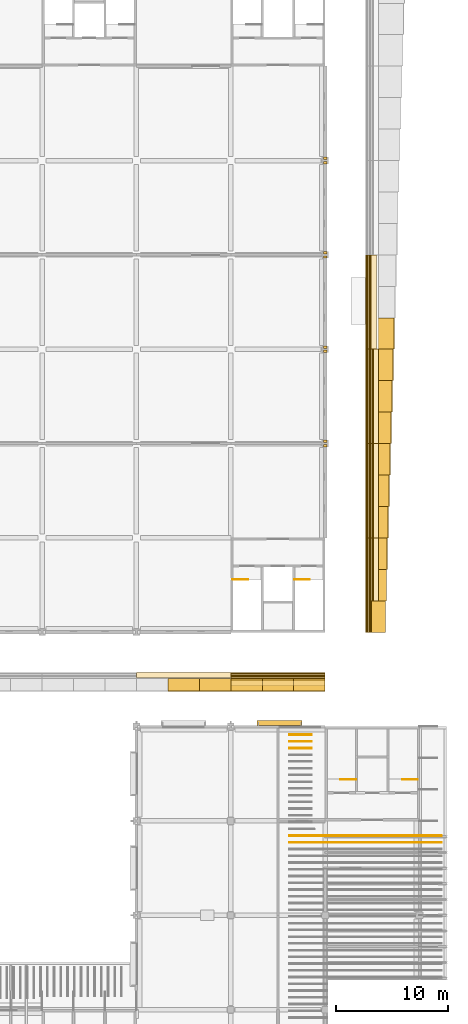
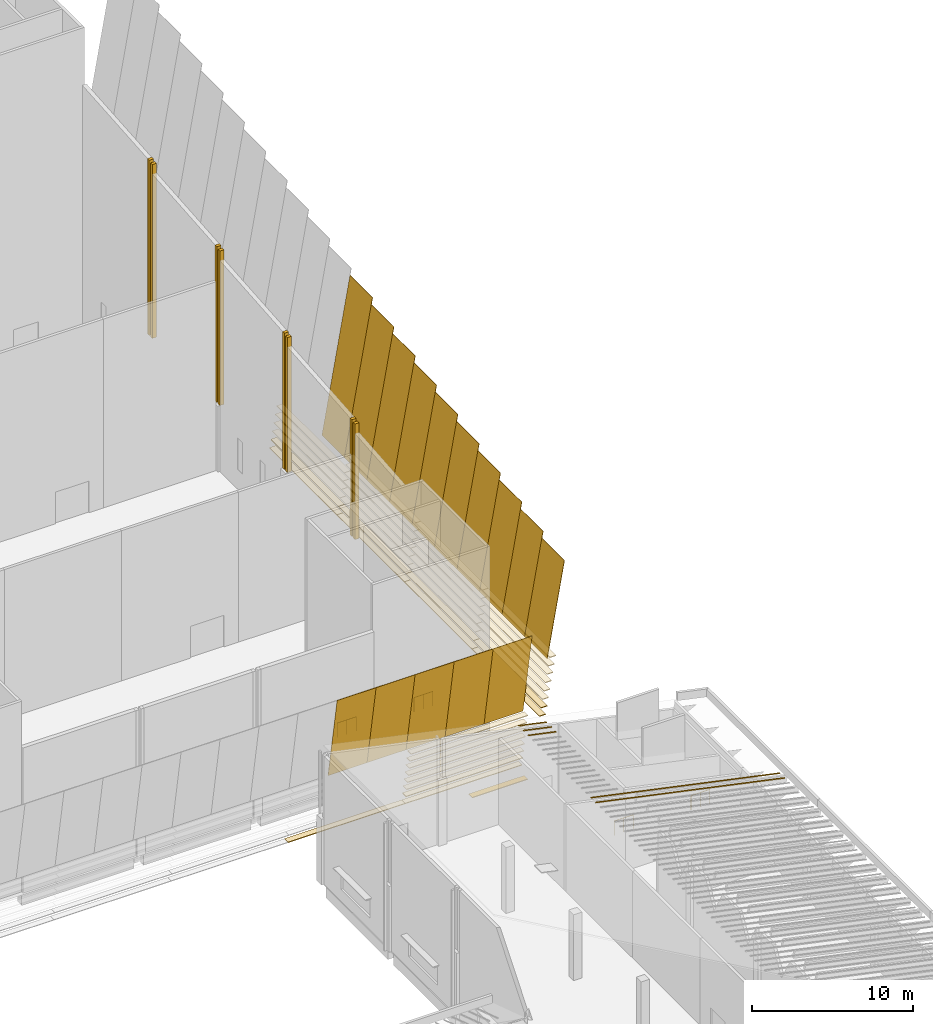
# One storey, part 58 of 59: 67 coverings, 4 railings, 1 shading device.
"""IFC4 building model written with IfcOpenShell, lengths in metres."""

from ifc_helpers import new_model, si_unit, direction, frame, origin, origin_2d, place, context, subcontext, project, spatial, polyline, rectangle, circle, outline, extrude, material, layer, layer_set, material_profile, profile_set, type_object, element, save


model = new_model("IFC4")

# Units and contexts
model_context = context("Model", 3, precision=1e-05, world=origin(), true_north=direction((0.0, 1.0)))
body_context = subcontext(model_context, "Body", "Model", "MODEL_VIEW")
ifc_project = project(units=[si_unit("LENGTHUNIT", "METRE"), si_unit("AREAUNIT", "SQUARE_METRE"), si_unit("VOLUMEUNIT", "CUBIC_METRE"), si_unit("PLANEANGLEUNIT", "RADIAN"), si_unit("MASSUNIT", "GRAM", prefix="KILO")], contexts=[model_context])

# Site, building, storey
site_placement = place(None, origin())
site = spatial("IfcSite", under=ifc_project, at=site_placement, CompositionType="ELEMENT")
building_placement = place(site_placement, origin())
building = spatial("IfcBuilding", under=site, at=building_placement, Name="Almond Square Museum", CompositionType="ELEMENT")
storey_placement = place(building_placement, frame((0.0, 0.0, 25.0)))
storey = spatial("IfcBuildingStorey", under=building, at=storey_placement, Name="L04", CompositionType="ELEMENT", Elevation=25.0)

# Coverings
ifc_material_1 = material(Name="Cedar timber louvre board", Category="wood")
ifc_material_profile_1 = material_profile(ifc_material_1, rectangle(XDim=0.449951171875, YDim=0.050048828125, at=origin_2d()))
ifc_profile_set_1 = profile_set([ifc_material_profile_1], Name="Cedar timber louvre board")
covering_type_1 = type_object("IfcCoveringType", Name="Louvre board 450 x 50", PredefinedType="CLADDING", material=ifc_profile_set_1)
covering_1_placement = place(storey_placement, frame((132.0, 46.602294921875, 0.300048828125), z_axis=(1.0, 0.0, 0.0), x_axis=(0.0, 1.0, 0.0)))
element("IfcCovering", 1, at=covering_1_placement, inside=storey, type_object=covering_type_1, Name="Louvre board S31.04", PredefinedType="CLADDING", context=body_context, shape_type="SweptSolid", body=[
    extrude(rectangle(XDim=0.449951171875, YDim=0.050048828125, at=origin_2d()), origin(), (0.0, 0.0, 1.0), 8.39990234375),
])
for number, where, z_axis, x_axis, name in (
    (2, (140.39990234375, 46.602294921875, 0.300048828125), (1.0, 0.0, 0.0), (0.0, 1.0, 0.0), "Louvre board S31.05"),
    (3, (140.39990234375, 46.49658203125, 0.89990234375), (1.0, 0.0, 0.0), (0.0, 1.0, 0.0), "Louvre board S32.05"),
    (4, (140.39990234375, 46.390625, 1.5), (1.0, 0.0, 0.0), (0.0, 1.0, 0.0), "Louvre board S33.05"),
    (5, (140.39990234375, 46.284912109375, 2.10009765625), (1.0, 0.0, 0.0), (0.0, 1.0, 0.0), "Louvre board S34.05"),
    (6, (140.39990234375, 46.17919921875, 2.699951171875), (1.0, 0.0, 0.0), (0.0, 1.0, 0.0), "Louvre board S35.05"),
    (7, (140.39990234375, 46.0732421875, 3.300048828125), (1.0, 0.0, 0.0), (0.0, 1.0, 0.0), "Louvre board S36.05"),
    (8, (140.39990234375, 45.967529296875, 3.89990234375), (1.0, 0.0, 0.0), (0.0, 1.0, 0.0), "Louvre board S37.05"),
    (9, (140.39990234375, 45.86181640625, 4.5), (1.0, 0.0, 0.0), (0.0, 1.0, 0.0), "Louvre board S38.05"),
    (10, (152.59765625, 50.39990234375, 0.300048828125), (0.0, 1.0, 0.0), (-1.0, 0.0, 0.0), "Louvre board E05.01"),
):
    element("IfcCovering", number, at=place(storey_placement, frame(where, z_axis=z_axis, x_axis=x_axis)), inside=storey, type_object=covering_type_1, Name=name, PredefinedType="CLADDING", context=body_context, shape_type="SweptSolid", body=[
        extrude(rectangle(XDim=0.449951171875, YDim=0.050048828125, at=origin_2d()), origin(), (0.0, 0.0, 1.0), 8.400146484375),
    ])
covering_2_placement = place(storey_placement, frame((152.59765625, 58.800048828125, 0.300048828125), z_axis=(0.0, 1.0, 0.0), x_axis=(-1.0, 0.0, 0.0)))
element("IfcCovering", 11, at=covering_2_placement, inside=storey, type_object=covering_type_1, Name="Louvre board E05.02", PredefinedType="CLADDING", context=body_context, shape_type="SweptSolid", body=[
    extrude(rectangle(XDim=0.449951171875, YDim=0.050048828125, at=origin_2d()), origin(), (0.0, 0.0, 1.0), 8.39990234375),
])
covering_3_placement = place(storey_placement, frame((152.59765625, 67.199951171875, 0.300048828125), z_axis=(0.0, 1.0, 0.0), x_axis=(-1.0, 0.0, 0.0)))
element("IfcCovering", 12, at=covering_3_placement, inside=storey, type_object=covering_type_1, Name="Louvre board E05.03", PredefinedType="CLADDING", context=body_context, shape_type="SweptSolid", body=[
    extrude(rectangle(XDim=0.449951171875, YDim=0.050048828125, at=origin_2d()), origin(), (0.0, 0.0, 1.0), 8.400146484375),
])
covering_4_placement = place(storey_placement, frame((152.59765625, 75.60009765625, 0.300048828125), z_axis=(0.0, 1.0, 0.0), x_axis=(-1.0, 0.0, 0.0)))
element("IfcCovering", 13, at=covering_4_placement, inside=storey, type_object=covering_type_1, Name="Louvre board E05.04", PredefinedType="CLADDING", context=body_context, shape_type="SweptSolid", body=[
    extrude(rectangle(XDim=0.449951171875, YDim=0.050048828125, at=origin_2d()), origin(), (0.0, 0.0, 1.0), 8.39990234375),
])
covering_5_placement = place(storey_placement, frame((152.70361328125, 50.39990234375, 0.89990234375), z_axis=(0.0, 1.0, 0.0), x_axis=(-1.0, 0.0, 0.0)))
element("IfcCovering", 14, at=covering_5_placement, inside=storey, type_object=covering_type_1, Name="Louvre board E06.01", PredefinedType="CLADDING", context=body_context, shape_type="SweptSolid", body=[
    extrude(rectangle(XDim=0.449951171875, YDim=0.050048828125, at=origin_2d()), origin(), (0.0, 0.0, 1.0), 8.400146484375),
])
covering_6_placement = place(storey_placement, frame((152.70361328125, 58.800048828125, 0.89990234375), z_axis=(0.0, 1.0, 0.0), x_axis=(-1.0, 0.0, 0.0)))
element("IfcCovering", 15, at=covering_6_placement, inside=storey, type_object=covering_type_1, Name="Louvre board E06.02", PredefinedType="CLADDING", context=body_context, shape_type="SweptSolid", body=[
    extrude(rectangle(XDim=0.449951171875, YDim=0.050048828125, at=origin_2d()), origin(), (0.0, 0.0, 1.0), 8.39990234375),
])
covering_7_placement = place(storey_placement, frame((152.70361328125, 67.199951171875, 0.89990234375), z_axis=(0.0, 1.0, 0.0), x_axis=(-1.0, 0.0, 0.0)))
element("IfcCovering", 16, at=covering_7_placement, inside=storey, type_object=covering_type_1, Name="Louvre board E06.03", PredefinedType="CLADDING", context=body_context, shape_type="SweptSolid", body=[
    extrude(rectangle(XDim=0.449951171875, YDim=0.050048828125, at=origin_2d()), origin(), (0.0, 0.0, 1.0), 8.400146484375),
])
covering_8_placement = place(storey_placement, frame((152.70361328125, 75.60009765625, 0.89990234375), z_axis=(0.0, 1.0, 0.0), x_axis=(-1.0, 0.0, 0.0)))
element("IfcCovering", 17, at=covering_8_placement, inside=storey, type_object=covering_type_1, Name="Louvre board E06.04", PredefinedType="CLADDING", context=body_context, shape_type="SweptSolid", body=[
    extrude(rectangle(XDim=0.449951171875, YDim=0.050048828125, at=origin_2d()), origin(), (0.0, 0.0, 1.0), 8.39990234375),
])
covering_9_placement = place(storey_placement, frame((152.809326171875, 50.39990234375, 1.5), z_axis=(0.0, 1.0, 0.0), x_axis=(-1.0, 0.0, 0.0)))
element("IfcCovering", 18, at=covering_9_placement, inside=storey, type_object=covering_type_1, Name="Louvre board E07.01", PredefinedType="CLADDING", context=body_context, shape_type="SweptSolid", body=[
    extrude(rectangle(XDim=0.449951171875, YDim=0.050048828125, at=origin_2d()), origin(), (0.0, 0.0, 1.0), 8.400146484375),
])
covering_10_placement = place(storey_placement, frame((152.809326171875, 58.800048828125, 1.5), z_axis=(0.0, 1.0, 0.0), x_axis=(-1.0, 0.0, 0.0)))
element("IfcCovering", 19, at=covering_10_placement, inside=storey, type_object=covering_type_1, Name="Louvre board E07.02", PredefinedType="CLADDING", context=body_context, shape_type="SweptSolid", body=[
    extrude(rectangle(XDim=0.449951171875, YDim=0.050048828125, at=origin_2d()), origin(), (0.0, 0.0, 1.0), 8.39990234375),
])
covering_11_placement = place(storey_placement, frame((152.809326171875, 67.199951171875, 1.5), z_axis=(0.0, 1.0, 0.0), x_axis=(-1.0, 0.0, 0.0)))
element("IfcCovering", 20, at=covering_11_placement, inside=storey, type_object=covering_type_1, Name="Louvre board E07.03", PredefinedType="CLADDING", context=body_context, shape_type="SweptSolid", body=[
    extrude(rectangle(XDim=0.449951171875, YDim=0.050048828125, at=origin_2d()), origin(), (0.0, 0.0, 1.0), 8.400146484375),
])
covering_12_placement = place(storey_placement, frame((152.809326171875, 75.60009765625, 1.5), z_axis=(0.0, 1.0, 0.0), x_axis=(-1.0, 0.0, 0.0)))
element("IfcCovering", 21, at=covering_12_placement, inside=storey, type_object=covering_type_1, Name="Louvre board E07.04", PredefinedType="CLADDING", context=body_context, shape_type="SweptSolid", body=[
    extrude(rectangle(XDim=0.449951171875, YDim=0.050048828125, at=origin_2d()), origin(), (0.0, 0.0, 1.0), 8.39990234375),
])
covering_13_placement = place(storey_placement, frame((152.9150390625, 50.39990234375, 2.10009765625), z_axis=(0.0, 1.0, 0.0), x_axis=(-1.0, 0.0, 0.0)))
element("IfcCovering", 22, at=covering_13_placement, inside=storey, type_object=covering_type_1, Name="Louvre board E08.01", PredefinedType="CLADDING", context=body_context, shape_type="SweptSolid", body=[
    extrude(rectangle(XDim=0.449951171875, YDim=0.050048828125, at=origin_2d()), origin(), (0.0, 0.0, 1.0), 8.400146484375),
])
covering_14_placement = place(storey_placement, frame((152.9150390625, 58.800048828125, 2.10009765625), z_axis=(0.0, 1.0, 0.0), x_axis=(-1.0, 0.0, 0.0)))
element("IfcCovering", 23, at=covering_14_placement, inside=storey, type_object=covering_type_1, Name="Louvre board E08.02", PredefinedType="CLADDING", context=body_context, shape_type="SweptSolid", body=[
    extrude(rectangle(XDim=0.449951171875, YDim=0.050048828125, at=origin_2d()), origin(), (0.0, 0.0, 1.0), 8.39990234375),
])
covering_15_placement = place(storey_placement, frame((152.9150390625, 67.199951171875, 2.10009765625), z_axis=(0.0, 1.0, 0.0), x_axis=(-1.0, 0.0, 0.0)))
element("IfcCovering", 24, at=covering_15_placement, inside=storey, type_object=covering_type_1, Name="Louvre board E08.03", PredefinedType="CLADDING", context=body_context, shape_type="SweptSolid", body=[
    extrude(rectangle(XDim=0.449951171875, YDim=0.050048828125, at=origin_2d()), origin(), (0.0, 0.0, 1.0), 8.400146484375),
])
covering_16_placement = place(storey_placement, frame((152.9150390625, 75.60009765625, 2.10009765625), z_axis=(0.0, 1.0, 0.0), x_axis=(-1.0, 0.0, 0.0)))
element("IfcCovering", 25, at=covering_16_placement, inside=storey, type_object=covering_type_1, Name="Louvre board E08.04", PredefinedType="CLADDING", context=body_context, shape_type="SweptSolid", body=[
    extrude(rectangle(XDim=0.449951171875, YDim=0.050048828125, at=origin_2d()), origin(), (0.0, 0.0, 1.0), 8.39990234375),
])
covering_17_placement = place(storey_placement, frame((153.02099609375, 50.39990234375, 2.699951171875), z_axis=(0.0, 1.0, 0.0), x_axis=(-1.0, 0.0, 0.0)))
element("IfcCovering", 26, at=covering_17_placement, inside=storey, type_object=covering_type_1, Name="Louvre board E09.01", PredefinedType="CLADDING", context=body_context, shape_type="SweptSolid", body=[
    extrude(rectangle(XDim=0.449951171875, YDim=0.050048828125, at=origin_2d()), origin(), (0.0, 0.0, 1.0), 8.400146484375),
])
covering_18_placement = place(storey_placement, frame((153.02099609375, 58.800048828125, 2.699951171875), z_axis=(0.0, 1.0, 0.0), x_axis=(-1.0, 0.0, 0.0)))
element("IfcCovering", 27, at=covering_18_placement, inside=storey, type_object=covering_type_1, Name="Louvre board E09.02", PredefinedType="CLADDING", context=body_context, shape_type="SweptSolid", body=[
    extrude(rectangle(XDim=0.449951171875, YDim=0.050048828125, at=origin_2d()), origin(), (0.0, 0.0, 1.0), 8.39990234375),
])
covering_19_placement = place(storey_placement, frame((153.02099609375, 67.199951171875, 2.699951171875), z_axis=(0.0, 1.0, 0.0), x_axis=(-1.0, 0.0, 0.0)))
element("IfcCovering", 28, at=covering_19_placement, inside=storey, type_object=covering_type_1, Name="Louvre board E09.03", PredefinedType="CLADDING", context=body_context, shape_type="SweptSolid", body=[
    extrude(rectangle(XDim=0.449951171875, YDim=0.050048828125, at=origin_2d()), origin(), (0.0, 0.0, 1.0), 8.400146484375),
])
covering_20_placement = place(storey_placement, frame((153.02099609375, 75.60009765625, 2.699951171875), z_axis=(0.0, 1.0, 0.0), x_axis=(-1.0, 0.0, 0.0)))
element("IfcCovering", 29, at=covering_20_placement, inside=storey, type_object=covering_type_1, Name="Louvre board E09.04", PredefinedType="CLADDING", context=body_context, shape_type="SweptSolid", body=[
    extrude(rectangle(XDim=0.449951171875, YDim=0.050048828125, at=origin_2d()), origin(), (0.0, 0.0, 1.0), 8.39990234375),
])
covering_21_placement = place(storey_placement, frame((153.126708984375, 50.39990234375, 3.300048828125), z_axis=(0.0, 1.0, 0.0), x_axis=(-1.0, 0.0, 0.0)))
element("IfcCovering", 30, at=covering_21_placement, inside=storey, type_object=covering_type_1, Name="Louvre board E10.01", PredefinedType="CLADDING", context=body_context, shape_type="SweptSolid", body=[
    extrude(rectangle(XDim=0.449951171875, YDim=0.050048828125, at=origin_2d()), origin(), (0.0, 0.0, 1.0), 8.400146484375),
])
covering_22_placement = place(storey_placement, frame((153.126708984375, 58.800048828125, 3.300048828125), z_axis=(0.0, 1.0, 0.0), x_axis=(-1.0, 0.0, 0.0)))
element("IfcCovering", 31, at=covering_22_placement, inside=storey, type_object=covering_type_1, Name="Louvre board E10.02", PredefinedType="CLADDING", context=body_context, shape_type="SweptSolid", body=[
    extrude(rectangle(XDim=0.449951171875, YDim=0.050048828125, at=origin_2d()), origin(), (0.0, 0.0, 1.0), 8.39990234375),
])
covering_23_placement = place(storey_placement, frame((153.126708984375, 67.199951171875, 3.300048828125), z_axis=(0.0, 1.0, 0.0), x_axis=(-1.0, 0.0, 0.0)))
element("IfcCovering", 32, at=covering_23_placement, inside=storey, type_object=covering_type_1, Name="Louvre board E10.03", PredefinedType="CLADDING", context=body_context, shape_type="SweptSolid", body=[
    extrude(rectangle(XDim=0.449951171875, YDim=0.050048828125, at=origin_2d()), origin(), (0.0, 0.0, 1.0), 8.400146484375),
])
covering_24_placement = place(storey_placement, frame((153.126708984375, 75.60009765625, 3.300048828125), z_axis=(0.0, 1.0, 0.0), x_axis=(-1.0, 0.0, 0.0)))
element("IfcCovering", 33, at=covering_24_placement, inside=storey, type_object=covering_type_1, Name="Louvre board E10.04", PredefinedType="CLADDING", context=body_context, shape_type="SweptSolid", body=[
    extrude(rectangle(XDim=0.449951171875, YDim=0.050048828125, at=origin_2d()), origin(), (0.0, 0.0, 1.0), 8.39990234375),
])
covering_25_placement = place(storey_placement, frame((153.232421875, 50.39990234375, 3.89990234375), z_axis=(0.0, 1.0, 0.0), x_axis=(-1.0, 0.0, 0.0)))
element("IfcCovering", 34, at=covering_25_placement, inside=storey, type_object=covering_type_1, Name="Louvre board E11.01", PredefinedType="CLADDING", context=body_context, shape_type="SweptSolid", body=[
    extrude(rectangle(XDim=0.449951171875, YDim=0.050048828125, at=origin_2d()), origin(), (0.0, 0.0, 1.0), 8.400146484375),
])
covering_26_placement = place(storey_placement, frame((153.232421875, 58.800048828125, 3.89990234375), z_axis=(0.0, 1.0, 0.0), x_axis=(-1.0, 0.0, 0.0)))
element("IfcCovering", 35, at=covering_26_placement, inside=storey, type_object=covering_type_1, Name="Louvre board E11.02", PredefinedType="CLADDING", context=body_context, shape_type="SweptSolid", body=[
    extrude(rectangle(XDim=0.449951171875, YDim=0.050048828125, at=origin_2d()), origin(), (0.0, 0.0, 1.0), 8.39990234375),
])
for number, where, z_axis, x_axis, name in (
    (36, (153.232421875, 67.199951171875, 3.89990234375), (0.0, 1.0, 0.0), (-1.0, 0.0, 0.0), "Louvre board E11.03"),
    (37, (153.33837890625, 50.39990234375, 4.5), (0.0, 1.0, 0.0), (-1.0, 0.0, 0.0), "Louvre board E12.01"),
):
    element("IfcCovering", number, at=place(storey_placement, frame(where, z_axis=z_axis, x_axis=x_axis)), inside=storey, type_object=covering_type_1, Name=name, PredefinedType="CLADDING", context=body_context, shape_type="SweptSolid", body=[
        extrude(rectangle(XDim=0.449951171875, YDim=0.050048828125, at=origin_2d()), origin(), (0.0, 0.0, 1.0), 8.400146484375),
    ])
covering_27_placement = place(storey_placement, frame((153.33837890625, 58.800048828125, 4.5), z_axis=(0.0, 1.0, 0.0), x_axis=(-1.0, 0.0, 0.0)))
element("IfcCovering", 38, at=covering_27_placement, inside=storey, type_object=covering_type_1, Name="Louvre board E12.02", PredefinedType="CLADDING", context=body_context, shape_type="SweptSolid", body=[
    extrude(rectangle(XDim=0.449951171875, YDim=0.050048828125, at=origin_2d()), origin(), (0.0, 0.0, 1.0), 8.39990234375),
])
covering_28_placement = place(storey_placement, frame((153.33837890625, 67.199951171875, 4.5), z_axis=(0.0, 1.0, 0.0), x_axis=(-1.0, 0.0, 0.0)))
element("IfcCovering", 39, at=covering_28_placement, inside=storey, type_object=covering_type_1, Name="Louvre board E12.03", PredefinedType="CLADDING", context=body_context, shape_type="SweptSolid", body=[
    extrude(rectangle(XDim=0.449951171875, YDim=0.050048828125, at=origin_2d()), origin(), (0.0, 0.0, 1.0), 8.400146484375),
])
ifc_material_2 = material(Name="Cedar timber sheathing panel", Category="wood")
ifc_layer_1 = layer(ifc_material_2, 0.030029296875)
ifc_layer_set_1 = layer_set([ifc_layer_1], Name="Cedar timber sheathing panel")
covering_type_2 = type_object("IfcCoveringType", Name="Louvre rain-screen backing panel 30", PredefinedType="CLADDING", material=ifc_layer_set_1)
covering_29_placement = place(storey_placement, frame((134.800048828125, 46.272216796875, 4.469970703125), z_axis=(0.0, -0.984807450038, -0.173649895908), x_axis=(1.0, 0.0, 0.0)))
element("IfcCovering", 40, at=covering_29_placement, inside=storey, type_object=covering_type_2, Name="Louvre rain-screen backing panel S11.07", PredefinedType="CLADDING", context=body_context, shape_type="SweptSolid", body=[
    extrude(outline(polyline([(0.0, 0.0), (2.800048828125, 0.0), (2.800048828125, 6.478552688524814), (0.0, 6.478552688524814), (0.0, 0.0)])), frame((0.0, 0.0, -0.01513671875)), (0.0, 0.0, 1.0), 0.030029296875),
])
covering_30_placement = place(storey_placement, frame((137.60009765625, 46.272216796875, 4.469970703125), z_axis=(0.0, -0.984807450038, -0.173649895908), x_axis=(1.0, 0.0, 0.0)))
element("IfcCovering", 41, at=covering_30_placement, inside=storey, type_object=covering_type_2, Name="Louvre rain-screen backing panel S12.07", PredefinedType="CLADDING", context=body_context, shape_type="SweptSolid", body=[
    extrude(outline(polyline([(0.0, 0.0), (2.7998046875, 0.0), (2.7998046875, 6.478552688524814), (0.0, 6.478552688524814), (0.0, 0.0)])), frame((0.0, 0.0, -0.01513671875)), (0.0, 0.0, 1.0), 0.030029296875),
])
for number, where, z_axis, x_axis, name in (
    (42, (140.39990234375, 46.272216796875, 4.469970703125), (0.0, -0.984807450038, -0.173649895908), (1.0, 0.0, 0.0), "Louvre rain-screen backing panel S13.07"),
    (43, (143.199951171875, 46.272216796875, 4.469970703125), (0.0, -0.984807450038, -0.173649895908), (1.0, 0.0, 0.0), "Louvre rain-screen backing panel S14.07"),
    (44, (146.0, 46.272216796875, 4.469970703125), (0.0, -0.984807450038, -0.173649895908), (1.0, 0.0, 0.0), "Louvre rain-screen backing panel S15.07"),
):
    element("IfcCovering", number, at=place(storey_placement, frame(where, z_axis=z_axis, x_axis=x_axis)), inside=storey, type_object=covering_type_2, Name=name, PredefinedType="CLADDING", context=body_context, shape_type="SweptSolid", body=[
        extrude(outline(polyline([(0.0, 0.0), (2.800048828125, 0.0), (2.800048828125, 6.478552688524814), (0.0, 6.478552688524814), (0.0, 0.0)])), frame((0.0, 0.0, -0.01513671875)), (0.0, 0.0, 1.0), 0.030029296875),
    ])
covering_31_placement = place(storey_placement, frame((152.927978515625, 50.39990234375, 4.469970703125), z_axis=(0.984809714648, 0.0, -0.17363705231), x_axis=(0.0, 1.0, 0.0)))
element("IfcCovering", 45, at=covering_31_placement, inside=storey, type_object=covering_type_2, Name="Louvre rain-screen backing panel E01.07", PredefinedType="CLADDING", context=body_context, shape_type="SweptSolid", body=[
    extrude(outline(polyline([(0.0, 0.0), (2.800048828125, 0.0), (2.800048828125, 7.13846461129573), (0.0, 7.13846461129573), (0.0, 0.0)])), frame((0.0, 0.0, -0.01513671875)), (0.0, 0.0, 1.0), 0.030029296875),
])
covering_32_placement = place(storey_placement, frame((152.927978515625, 53.199951171875, 4.469970703125), z_axis=(0.984808011815, 0.0, -0.173646709917), x_axis=(0.0, 1.0, 0.0)))
element("IfcCovering", 46, at=covering_32_placement, inside=storey, type_object=covering_type_2, Name="Louvre rain-screen backing panel E02.07", PredefinedType="CLADDING", context=body_context, shape_type="SweptSolid", body=[
    extrude(outline(polyline([(0.0, 0.0), (2.800048828125, 0.0), (2.800048828125, 7.6357780403986455), (0.0, 7.6357780403986455), (0.0, 0.0)])), frame((0.0, 0.0, -0.01513671875)), (0.0, 0.0, 1.0), 0.030029296875),
])
covering_33_placement = place(storey_placement, frame((152.927978515625, 56.0, 4.469970703125), z_axis=(0.984812555252, 0.0, -0.173620940611), x_axis=(0.0, 1.0, 0.0)))
element("IfcCovering", 47, at=covering_33_placement, inside=storey, type_object=covering_type_2, Name="Louvre rain-screen backing panel E03.07", PredefinedType="CLADDING", context=body_context, shape_type="SweptSolid", body=[
    extrude(outline(polyline([(0.0, 0.0), (2.800048828125, 0.0), (2.800048828125, 8.133289510056464), (0.0, 8.133289510056464), (0.0, 0.0)])), frame((0.0, 0.0, -0.01513671875)), (0.0, 0.0, 1.0), 0.030029296875),
])
covering_34_placement = place(storey_placement, frame((152.927978515625, 58.800048828125, 4.469970703125), z_axis=(0.984811737932, 0.0, -0.173625576545), x_axis=(0.0, 1.0, 0.0)))
element("IfcCovering", 48, at=covering_34_placement, inside=storey, type_object=covering_type_2, Name="Louvre rain-screen backing panel E04.07", PredefinedType="CLADDING", context=body_context, shape_type="SweptSolid", body=[
    extrude(outline(polyline([(0.0, 0.0), (2.800048828125, 0.0), (2.800048828125, 8.630843370348975), (0.0, 8.630843370348975), (0.0, 0.0)])), frame((0.0, 0.0, -0.01513671875)), (0.0, 0.0, 1.0), 0.030029296875),
])
covering_35_placement = place(storey_placement, frame((152.927978515625, 61.60009765625, 4.469970703125), z_axis=(0.984811009692, 0.0, -0.173629707102), x_axis=(0.0, 1.0, 0.0)))
element("IfcCovering", 49, at=covering_35_placement, inside=storey, type_object=covering_type_2, Name="Louvre rain-screen backing panel E05.07", PredefinedType="CLADDING", context=body_context, shape_type="SweptSolid", body=[
    extrude(outline(polyline([(0.0, 0.0), (2.7998046875, 0.0), (2.7998046875, 9.128397230811895), (0.0, 9.128397230811895), (0.0, 0.0)])), frame((0.0, 0.0, -0.01513671875)), (0.0, 0.0, 1.0), 0.030029296875),
])
covering_36_placement = place(storey_placement, frame((152.927978515625, 64.39990234375, 4.469970703125), z_axis=(0.984810356722, 0.0, -0.17363341065), x_axis=(0.0, 1.0, 0.0)))
element("IfcCovering", 50, at=covering_36_placement, inside=storey, type_object=covering_type_2, Name="Louvre rain-screen backing panel E06.07", PredefinedType="CLADDING", context=body_context, shape_type="SweptSolid", body=[
    extrude(outline(polyline([(0.0, 0.0), (2.800048828125, 0.0), (2.800048828125, 9.625951091418797), (0.0, 9.625951091418797), (0.0, 0.0)])), frame((0.0, 0.0, -0.01513671875)), (0.0, 0.0, 1.0), 0.030029296875),
])
covering_37_placement = place(storey_placement, frame((152.927978515625, 67.199951171875, 4.469970703125), z_axis=(0.984809767924, 0.0, -0.173636750148), x_axis=(0.0, 1.0, 0.0)))
element("IfcCovering", 51, at=covering_37_placement, inside=storey, type_object=covering_type_2, Name="Louvre rain-screen backing panel E07.07", PredefinedType="CLADDING", context=body_context, shape_type="SweptSolid", body=[
    extrude(outline(polyline([(0.0, 0.0), (2.800048828125, 0.0), (2.800048828125, 10.123504952148457), (0.0, 10.123504952148457), (0.0, 0.0)])), frame((0.0, 0.0, -0.01513671875)), (0.0, 0.0, 1.0), 0.030029296875),
])
covering_38_placement = place(storey_placement, frame((152.927978515625, 70.0, 4.469970703125), z_axis=(0.984809234282, 0.0, -0.173639776761), x_axis=(0.0, 1.0, 0.0)))
element("IfcCovering", 52, at=covering_38_placement, inside=storey, type_object=covering_type_2, Name="Louvre rain-screen backing panel E08.07", PredefinedType="CLADDING", context=body_context, shape_type="SweptSolid", body=[
    extrude(outline(polyline([(0.0, 0.0), (2.800048828125, 0.0), (2.800048828125, 10.621058812983618), (0.0, 10.621058812983618), (0.0, 0.0)])), frame((0.0, 0.0, -0.01513671875)), (0.0, 0.0, 1.0), 0.030029296875),
])
covering_39_placement = place(storey_placement, frame((152.927978515625, 72.800048828125, 4.469970703125), z_axis=(0.984809410437, 0.0, -0.17363877768), x_axis=(0.0, 1.0, 0.0)))
element("IfcCovering", 53, at=covering_39_placement, inside=storey, type_object=covering_type_2, Name="Louvre rain-screen backing panel E09.07", PredefinedType="CLADDING", context=body_context, shape_type="SweptSolid", body=[
    extrude(outline(polyline([(0.0, 0.0), (2.800048828125, 0.0), (2.800048828125, 11.11885310581427), (0.0, 11.11885310581427), (0.0, 0.0)])), frame((0.0, 0.0, -0.01513671875)), (0.0, 0.0, 1.0), 0.030029296875),
])
covering_40_placement = place(storey_placement, frame((152.927978515625, 75.60009765625, 4.469970703125), z_axis=(0.984808937827, 0.0, -0.173641458114), x_axis=(0.0, 1.0, 0.0)))
element("IfcCovering", 54, at=covering_40_placement, inside=storey, type_object=covering_type_2, Name="Louvre rain-screen backing panel E10.07", PredefinedType="CLADDING", context=body_context, shape_type="SweptSolid", body=[
    extrude(outline(polyline([(0.0, 0.0), (2.7998046875, 0.0), (2.7998046875, 11.61640696670845), (0.0, 11.61640696670845), (0.0, 0.0)])), frame((0.0, 0.0, -0.01513671875)), (0.0, 0.0, 1.0), 0.030029296875),
])
ifc_material_3 = material(Name="Zinc standing seam")
ifc_layer_2 = layer(ifc_material_3, 0.0400390625)
ifc_layer_set_2 = layer_set([ifc_layer_2], Name="Zinc standing seam")
covering_type_3 = type_object("IfcCoveringType", Name="Roof standing seam rib 60 x 40", PredefinedType="CLADDING", material=ifc_layer_set_2)
for number, where, z_axis, x_axis, name in (
    (55, (159.14990234375, 31.64990234375, 4.58544921875), (0.207930421953, 0.0, 0.978143619121), (0.0, 1.0, 0.0), "Roof standing seam rib"),
    (56, (159.14990234375, 32.25, 4.58544921875), (0.207930421953, 0.0, 0.978143619121), (0.0, 1.0, 0.0), "Roof standing seam rib"),
):
    element("IfcCovering", number, at=place(storey_placement, frame(where, z_axis=z_axis, x_axis=x_axis)), inside=storey, type_object=covering_type_3, Name=name, PredefinedType="CLADDING", context=body_context, shape_type="SweptSolid", body=[
        extrude(outline(polyline([(0.0, 0.0), (0.06005859375, 0.0), (0.06005859375, 13.852571772313889), (0.0, 13.852571772313889), (0.0, 0.0)])), origin(), (0.0, 0.0, 1.0), 0.0400390625),
    ])
for number, where, z_axis, x_axis, name in (
    (57, (147.60009765625, 40.050048828125, 7.04052734375), (0.207995844017, 0.0, 0.978129709636), (0.0, 1.0, 0.0), "Roof standing seam rib"),
    (58, (147.60009765625, 40.64990234375, 7.04052734375), (0.207995844017, 0.0, 0.978129709636), (0.0, 1.0, 0.0), "Roof standing seam rib"),
    (59, (147.60009765625, 41.25, 7.04052734375), (0.207995844017, 0.0, 0.978129709636), (0.0, 1.0, 0.0), "Roof standing seam rib"),
):
    element("IfcCovering", number, at=place(storey_placement, frame(where, z_axis=z_axis, x_axis=x_axis)), inside=storey, type_object=covering_type_3, Name=name, PredefinedType="CLADDING", context=body_context, shape_type="SweptSolid", body=[
        extrude(outline(polyline([(0.0, 0.0), (0.06005859375, 0.0), (0.06005859375, 2.0447185892606807), (0.0, 2.0447185892606807), (0.0, 0.0)])), origin(), (0.0, 0.0, 1.0), 0.0400390625),
    ])

# Railings
ifc_material_4 = material(Name="Stainless steel and laminated glass", Category="steel")
railing_type = type_object("IfcRailingType", Name="Stair guard 1100 steel and glass", PredefinedType="GUARDRAIL", material=ifc_material_4)
for number, where, name in (
    (60, (140.570068359375, 55.10009765625, 0.0), "L04 ST-03 top well guard 1"),
    (61, (146.070068359375, 55.10009765625, 0.0), "L04 ST-04 top well guard 1"),
):
    element("IfcRailing", number, at=place(storey_placement, frame(where)), inside=storey, type_object=railing_type, Name=name, PredefinedType="GUARDRAIL", context=body_context, shape_type="SweptSolid", body=[
        extrude(circle(Radius=0.02392578125, at=origin_2d()), frame((0.0, 0.0, 1.076171875), z_axis=(1.0, 0.0, 0.0), x_axis=(0.0, 1.0, 0.0)), (0.0, 0.0, 1.0), 1.349853515625),
        extrude(circle(Radius=0.02099609375, at=origin_2d()), origin(), (0.0, 0.0, 1.0), 1.052001953125),
        extrude(circle(Radius=0.02099609375, at=origin_2d()), frame((0.6748046875, 0.0, 0.0)), (0.0, 0.0, 1.0), 1.052001953125),
        extrude(circle(Radius=0.02099609375, at=origin_2d()), frame((1.349853515625, 0.0, 0.0)), (0.0, 0.0, 1.0), 1.052001953125),
    ])
for number, where, name in (
    (62, (151.530029296875, 37.300048828125, 0.0), "L04 ST-33 top well guard 1"),
    (63, (157.030029296875, 37.300048828125, 0.0), "L04 ST-34 top well guard 1"),
):
    element("IfcRailing", number, at=place(storey_placement, frame(where)), inside=storey, type_object=railing_type, Name=name, PredefinedType="GUARDRAIL", context=body_context, shape_type="SweptSolid", body=[
        extrude(circle(Radius=0.02392578125, at=origin_2d()), frame((0.0, 0.0, 1.076171875), z_axis=(-1.0, 0.0, 0.0), x_axis=(0.0, -1.0, 0.0)), (0.0, 0.0, 1.0), 1.35009765625),
        extrude(circle(Radius=0.02099609375, at=origin_2d()), origin(), (0.0, 0.0, 1.0), 1.052001953125),
        extrude(circle(Radius=0.02099609375, at=origin_2d()), frame((-0.675048828125, 0.0, 0.0)), (0.0, 0.0, 1.0), 1.052001953125),
        extrude(circle(Radius=0.02099609375, at=origin_2d()), frame((-1.35009765625, 0.0, 0.0)), (0.0, 0.0, 1.0), 1.052001953125),
    ])

# Shading device
ifc_material_5 = material(Name="Anodised aluminium", Category="aluminium")
ifc_material_profile_2 = material_profile(ifc_material_5, rectangle(XDim=0.449951171875, YDim=0.050048828125, at=origin_2d()))
ifc_profile_set_2 = profile_set([ifc_material_profile_2], Name="Anodised aluminium")
shading_device_type = type_object("IfcShadingDeviceType", Name="Sun-shade blade 450 x 50", PredefinedType="USERDEFINED", material=ifc_profile_set_2)
shading_device_placement = place(storey_placement, frame((142.75, 42.3330078125, 2.52001953125), z_axis=(1.0, 0.0, 0.0), x_axis=(0.0, 1.0, 0.0)))
element("IfcShadingDevice", 64, at=shading_device_placement, inside=storey, type_object=shading_device_type, Name="Sun-shade blade", ObjectType="LOUVRE", PredefinedType="USERDEFINED", context=body_context, shape_type="SweptSolid", body=[
    extrude(rectangle(XDim=0.449951171875, YDim=0.050048828125, at=origin_2d()), origin(), (0.0, 0.0, 1.0), 4.0),
])

# Coverings
ifc_material_6 = material(Name="Cladding panel to match the wall")
ifc_layer_3 = layer(ifc_material_6, 0.050048828125)
ifc_layer_set_3 = layer_set([ifc_layer_3], Name="Cladding panel to match the wall")
covering_type_4 = type_object("IfcCoveringType", Name="Wall end closure panel", PredefinedType="CLADDING", material=ifc_layer_set_3)
covering_41_placement = place(storey_placement, frame((148.800048828125, 67.010009765625, 5.0), z_axis=(0.0, 0.0, 1.0), x_axis=(1.0, 0.0, 0.0)))
element("IfcCovering", 65, at=covering_41_placement, inside=storey, type_object=covering_type_4, Name="Wall end closure panel", PredefinedType="CLADDING", context=body_context, shape_type="SweptSolid", body=[
    extrude(rectangle(XDim=0.300048828125, YDim=0.219970703125, at=origin_2d()), origin(), (0.0, 0.0, 1.0), 8.7783203125),
])
covering_42_placement = place(storey_placement, frame((148.800048828125, 67.389892578125, 5.0), z_axis=(0.0, 0.0, 1.0), x_axis=(1.0, 0.0, 0.0)))
element("IfcCovering", 66, at=covering_42_placement, inside=storey, type_object=covering_type_4, Name="Wall end closure panel", PredefinedType="CLADDING", context=body_context, shape_type="SweptSolid", body=[
    extrude(rectangle(XDim=0.300048828125, YDim=0.219970703125, at=origin_2d()), origin(), (0.0, 0.0, 1.0), 8.88330078125),
])
covering_43_placement = place(storey_placement, frame((148.800048828125, 75.409912109375, 5.0), z_axis=(0.0, 0.0, 1.0), x_axis=(1.0, 0.0, 0.0)))
element("IfcCovering", 67, at=covering_43_placement, inside=storey, type_object=covering_type_4, Name="Wall end closure panel", PredefinedType="CLADDING", context=body_context, shape_type="SweptSolid", body=[
    extrude(rectangle(XDim=0.300048828125, YDim=0.219970703125, at=origin_2d()), origin(), (0.0, 0.0, 1.0), 10.248291015625),
])
covering_44_placement = place(storey_placement, frame((148.800048828125, 75.7900390625, 5.0), z_axis=(0.0, 0.0, 1.0), x_axis=(1.0, 0.0, 0.0)))
element("IfcCovering", 68, at=covering_44_placement, inside=storey, type_object=covering_type_4, Name="Wall end closure panel", PredefinedType="CLADDING", context=body_context, shape_type="SweptSolid", body=[
    extrude(rectangle(XDim=0.300048828125, YDim=0.219970703125, at=origin_2d()), origin(), (0.0, 0.0, 1.0), 10.353515625),
])
covering_45_placement = place(storey_placement, frame((148.800048828125, 83.81005859375, 5.0), z_axis=(0.0, 0.0, 1.0), x_axis=(1.0, 0.0, 0.0)))
element("IfcCovering", 69, at=covering_45_placement, inside=storey, type_object=covering_type_4, Name="Wall end closure panel", PredefinedType="CLADDING", context=body_context, shape_type="SweptSolid", body=[
    extrude(rectangle(XDim=0.300048828125, YDim=0.219970703125, at=origin_2d()), origin(), (0.0, 0.0, 1.0), 11.718505859375),
])
covering_46_placement = place(storey_placement, frame((148.800048828125, 84.18994140625, 5.0), z_axis=(0.0, 0.0, 1.0), x_axis=(1.0, 0.0, 0.0)))
element("IfcCovering", 70, at=covering_46_placement, inside=storey, type_object=covering_type_4, Name="Wall end closure panel", PredefinedType="CLADDING", context=body_context, shape_type="SweptSolid", body=[
    extrude(rectangle(XDim=0.300048828125, YDim=0.219970703125, at=origin_2d()), origin(), (0.0, 0.0, 1.0), 11.823486328125),
])
covering_47_placement = place(storey_placement, frame((148.800048828125, 92.2099609375, 5.0), z_axis=(0.0, 0.0, 1.0), x_axis=(1.0, 0.0, 0.0)))
element("IfcCovering", 71, at=covering_47_placement, inside=storey, type_object=covering_type_4, Name="Wall end closure panel", PredefinedType="CLADDING", context=body_context, shape_type="SweptSolid", body=[
    extrude(rectangle(XDim=0.300048828125, YDim=0.219970703125, at=origin_2d()), origin(), (0.0, 0.0, 1.0), 13.1884765625),
])
covering_48_placement = place(storey_placement, frame((148.800048828125, 92.590087890625, 5.0), z_axis=(0.0, 0.0, 1.0), x_axis=(1.0, 0.0, 0.0)))
element("IfcCovering", 72, at=covering_48_placement, inside=storey, type_object=covering_type_4, Name="Wall end closure panel", PredefinedType="CLADDING", context=body_context, shape_type="SweptSolid", body=[
    extrude(rectangle(XDim=0.300048828125, YDim=0.219970703125, at=origin_2d()), origin(), (0.0, 0.0, 1.0), 13.29345703125),
])

save(model, "model.ifc")
